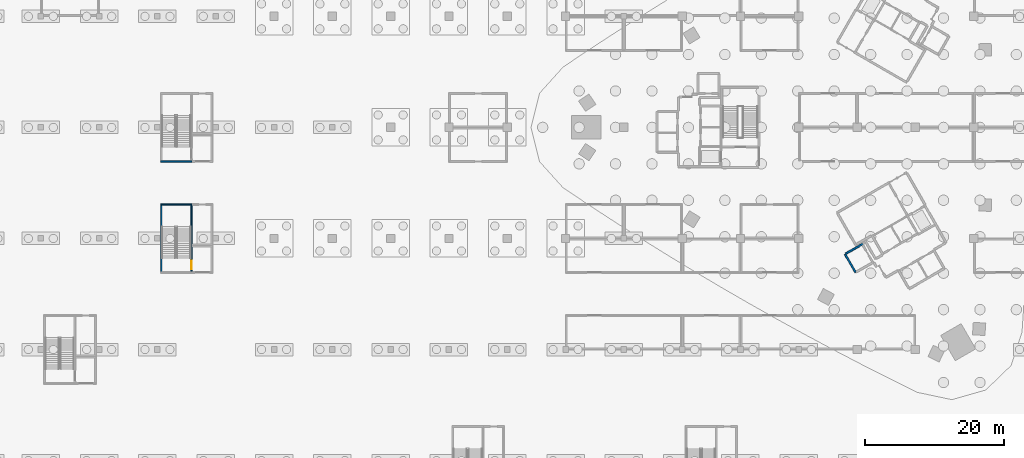
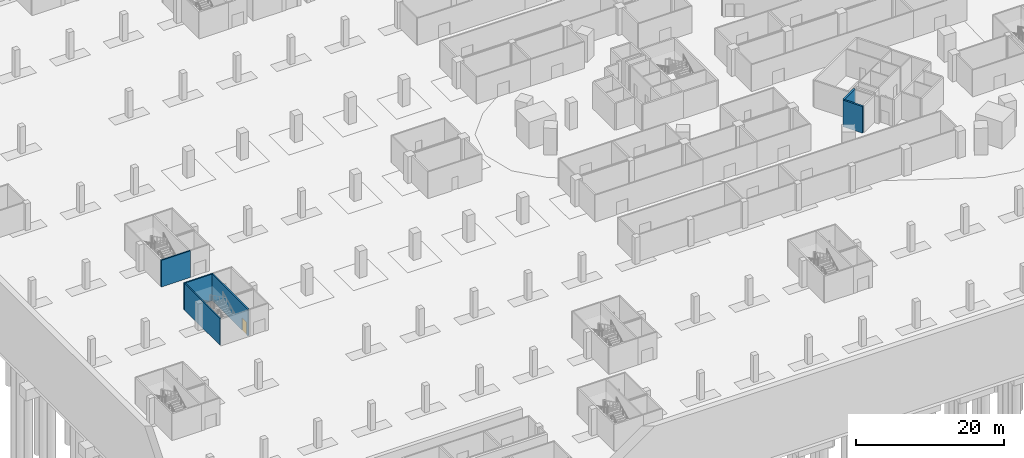
# One storey, part 10 of 46: 6 walls, 1 door, 1 opening.
"""IFC4 building model written with IfcOpenShell, lengths in metres."""

import ifcopenshell
import ifcopenshell.guid

model = None  # the IFC model being written
_history = None  # IfcOwnerHistory: only IFC2X3 demands one
_inside = {}  # id of a spatial element -> (the spatial element, [elements in it])
_under = {}  # id of a project, library or spatial element -> (it, [spatial elements below it])
_declared = {}  # id of a project -> (the project, [libraries it declares])
_typed = {}  # id of a type object -> (the type object, [elements of that type])
_made_of = {}  # id of a material, layer set ... -> (it, [elements and type objects made of it])


def new_model(schema):
    """Start an empty IFC model of exactly this schema.

    Asked for "IFC4X3", IfcOpenShell would pick the latest addendum, in which some entities
    have other attributes; the version numbers below select the first issue.
    IFC2X3 requires an IfcOwnerHistory on every rooted entity: one is made here for all.
    """
    global model, _history
    if schema == "IFC4X3":
        model = ifcopenshell.file(schema_version=(4, 3, 0, 0))
    else:
        model = ifcopenshell.file(schema=schema)
    _inside.clear()
    _under.clear()
    _declared.clear()
    _typed.clear()
    _made_of.clear()
    _history = None
    if model.schema == "IFC2X3":
        org = make("IfcOrganization", Name="unknown")
        user = make(
            "IfcPersonAndOrganization",
            ThePerson=make("IfcPerson", FamilyName="unknown"),
            TheOrganization=org,
        )
        app = make(
            "IfcApplication",
            ApplicationDeveloper=org,
            Version="unknown",
            ApplicationFullName="unknown",
            ApplicationIdentifier="unknown",
        )
        _history = make(
            "IfcOwnerHistory",
            OwningUser=user,
            OwningApplication=app,
            ChangeAction="ADDED",
            CreationDate=0,
        )
    return model


def make(cls, **values):
    """One entity of the class cls with the attributes given. An attribute that is None is left unset."""
    return model.create_entity(
        cls, **{name: value for name, value in values.items() if value is not None}
    )


def rooted(cls, **values):
    """An entity with a GlobalId (a new one), such as an element, a storey or a relation."""
    return make(cls, GlobalId=ifcopenshell.guid.new(), OwnerHistory=_history, **values)


def si_unit(unit_type, name, prefix=None):
    """IfcSIUnit, for example si_unit("LENGTHUNIT", "METRE", prefix="MILLI")."""
    return make("IfcSIUnit", UnitType=unit_type, Prefix=prefix, Name=name)


def assignment(units):
    """IfcUnitAssignment: the units of a project."""
    return None if units is None else make("IfcUnitAssignment", Units=units)


def point(xyz):
    """IfcCartesianPoint."""
    return None if xyz is None else make("IfcCartesianPoint", Coordinates=xyz)


def direction(xyz):
    """IfcDirection."""
    return None if xyz is None else make("IfcDirection", DirectionRatios=xyz)


def frame(location, z_axis=None, x_axis=None):
    """IfcAxis2Placement3D, a coordinate frame: its origin and axes. An axis left out is left unset."""
    return make(
        "IfcAxis2Placement3D",
        Location=point(location),
        Axis=direction(z_axis),
        RefDirection=direction(x_axis),
    )


def frame_2d(location, x_axis=None):
    """IfcAxis2Placement2D, a coordinate frame in the plane: its origin and x axis."""
    return make(
        "IfcAxis2Placement2D", Location=point(location), RefDirection=direction(x_axis)
    )


def origin():
    """The frame at (0, 0, 0) with its axes left unset."""
    return frame((0.0, 0.0, 0.0))


def place(relative_to, where):
    """IfcLocalPlacement: puts the frame where relative to a parent placement (None: the world)."""
    return make(
        "IfcLocalPlacement", PlacementRelTo=relative_to, RelativePlacement=where
    )


def context(
    kind, dimensions, precision=None, world=None, true_north=None, identifier=None
):
    """IfcGeometricRepresentationContext, for example the 3D "Model" context."""
    return make(
        "IfcGeometricRepresentationContext",
        ContextIdentifier=identifier,
        ContextType=kind,
        CoordinateSpaceDimension=dimensions,
        Precision=precision,
        WorldCoordinateSystem=world,
        TrueNorth=true_north,
    )


def subcontext(parent, identifier, kind, view, scale=None):
    """IfcGeometricRepresentationSubContext, for example "Body" below "Model"."""
    return make(
        "IfcGeometricRepresentationSubContext",
        ContextIdentifier=identifier,
        ContextType=kind,
        ParentContext=parent,
        TargetScale=scale,
        TargetView=view,
    )


def project(units=None, contexts=None):
    """IfcProject with its units and contexts."""
    return rooted(
        "IfcProject",
        Name="project",
        RepresentationContexts=contexts,
        UnitsInContext=assignment(units),
    )


def spatial(cls, under=None, at=None, **own):
    """A site, building, storey or space (cls), placed at a placement, below another one or the project."""
    s = rooted(cls, ObjectPlacement=at, **own)
    if under is not None:
        _under.setdefault(under.id(), (under, []))[1].append(s)
    return s


def profile(cls, at=None, kind="AREA", **sizes):
    """A parametric profile (cls). Its sizes go by their IFC names, for example OverallWidth=200.0."""
    return make(cls, ProfileType=kind, Position=at, **sizes)


def rectangle(**sizes):
    """IfcRectangleProfileDef."""
    return profile("IfcRectangleProfileDef", **sizes)


def extrude(swept, where, along, depth):
    """IfcExtrudedAreaSolid: the profile swept, set in the frame where, extruded along a direction by depth."""
    return make(
        "IfcExtrudedAreaSolid",
        SweptArea=swept,
        Position=where,
        ExtrudedDirection=direction(along),
        Depth=depth,
    )


def shape(context_of_items, identifier, shape_type, items):
    """IfcShapeRepresentation: the items that make up one representation, for example the "Body"."""
    return make(
        "IfcShapeRepresentation",
        ContextOfItems=context_of_items,
        RepresentationIdentifier=identifier,
        RepresentationType=shape_type,
        Items=items,
    )


def material(Name=None, Category=None):
    """IfcMaterial."""
    return make("IfcMaterial", Name=Name, Category=Category)


def layer(
    of_material, thickness, ventilated=None, Name=None, Category=None, Priority=None
):
    """IfcMaterialLayer: one layer of a wall or slab, of a material (None: an air gap)."""
    return make(
        "IfcMaterialLayer",
        Material=of_material,
        LayerThickness=thickness,
        IsVentilated=ventilated,
        Name=Name,
        Category=Category,
        Priority=Priority,
    )


def layer_set(layers, Name=None):
    """IfcMaterialLayerSet."""
    return make("IfcMaterialLayerSet", MaterialLayers=layers, LayerSetName=Name)


def made_of(thing, what):
    """Note that an element or type object is made of a material, layer set ...; save() writes the relation."""
    if what is not None:
        _made_of.setdefault(what.id(), (what, []))[1].append(thing)
    return thing


def type_object(cls, material=None, **own):
    """A type object (cls), such as IfcWallType, which elements share."""
    return made_of(rooted(cls, **own), material)


def element(
    cls,
    number,
    at=None,
    inside=None,
    cuts=None,
    type_object=None,
    material=None,
    context=None,
    identifier="Body",
    shape_type=None,
    held_by="IfcProductDefinitionShape",
    body=None,
    shapes=None,
    **own,
):
    """One element of the class cls, such as IfcWall. Its Tag is "e" and its number.

    at: its placement. inside: the storey or other place that contains it. cuts: it is an
    opening in that element (IfcRelVoidsElement). A single representation is given by context,
    identifier, shape_type and body (its items); several are given by shapes. held_by: the class
    of the entity that holds the representations. save() writes the other relations.
    """
    e = rooted(cls, Tag="e%d" % number, ObjectPlacement=at, **own)
    if body is not None:
        shapes = [shape(context, identifier, shape_type, body)]
    if shapes is not None:
        e.Representation = make(held_by, Representations=shapes)
    if inside is not None:
        _inside.setdefault(inside.id(), (inside, []))[1].append(e)
    if cuts is not None:
        rooted(
            "IfcRelVoidsElement", RelatingBuildingElement=cuts, RelatedOpeningElement=e
        )
    if type_object is not None:
        _typed.setdefault(type_object.id(), (type_object, []))[1].append(e)
    return made_of(e, material)


def fill(opening, filler):
    """IfcRelFillsElement: the door or window that sits in an opening."""
    return rooted(
        "IfcRelFillsElement",
        RelatingOpeningElement=opening,
        RelatedBuildingElement=filler,
    )


def aggregate(whole, parts):
    """IfcRelAggregates: a whole, such as a stair, and the parts it consists of."""
    return rooted("IfcRelAggregates", RelatingObject=whole, RelatedObjects=parts)


def save(model, path):
    """Write the relations noted so far, then the file.

    IfcRelAggregates (storeys below a building ...), IfcRelContainedInSpatialStructure (elements
    in a storey), IfcRelDefinesByType, IfcRelAssociatesMaterial and IfcRelDeclares: one each for
    every whole, place, type object, material and project.
    """
    for whole, parts in _under.values():
        aggregate(whole, parts)
    for where, things in _inside.values():
        rooted(
            "IfcRelContainedInSpatialStructure",
            RelatedElements=things,
            RelatingStructure=where,
        )
    for kind, things in _typed.values():
        rooted("IfcRelDefinesByType", RelatedObjects=things, RelatingType=kind)
    for what, things in _made_of.values():
        rooted("IfcRelAssociatesMaterial", RelatedObjects=things, RelatingMaterial=what)
    for by, libraries in _declared.values():
        rooted("IfcRelDeclares", RelatingContext=by, RelatedDefinitions=libraries)
    model.write(path)


model = new_model("IFC4")

# Units and contexts
model_context = context("Model", 3, precision=1e-05, world=origin(), true_north=direction((0.0, 1.0)))
body_context = subcontext(model_context, "Body", "Model", "MODEL_VIEW")
ifc_project = project(units=[si_unit("LENGTHUNIT", "METRE"), si_unit("AREAUNIT", "SQUARE_METRE"), si_unit("VOLUMEUNIT", "CUBIC_METRE"), si_unit("PLANEANGLEUNIT", "RADIAN"), si_unit("MASSUNIT", "GRAM", prefix="KILO")], contexts=[model_context])

# Site, building, storey
site_placement = place(None, origin())
site = spatial("IfcSite", under=ifc_project, at=site_placement, CompositionType="ELEMENT")
building_placement = place(site_placement, origin())
building = spatial("IfcBuilding", under=site, at=building_placement, Name="Tamra Quay Hotel Tower", CompositionType="ELEMENT")
storey_placement = place(building_placement, frame((0.0, 0.0, -12.0)))
storey = spatial("IfcBuildingStorey", under=building, at=storey_placement, Name="B3", CompositionType="ELEMENT", Elevation=-12.0)

# Walls
ifc_material_1 = material(Name="Concrete M70", Category="concrete")
ifc_layer_1 = layer(ifc_material_1, 0.25)
ifc_layer_set_1 = layer_set([ifc_layer_1], Name="Concrete M70 core wall 250")
wall_type_1 = type_object("IfcWallType", Name="Concrete M70 core wall 250", PredefinedType="SHEAR", material=ifc_layer_set_1)
wall_1_placement = place(storey_placement, frame((3.085205078125, -20.893798828125, 0.0), z_axis=(0.0, 0.0, 1.0), x_axis=(-0.499978833458, 0.866037623948, 0.0)))
element("IfcWall", 1, at=wall_1_placement, inside=storey, type_object=wall_type_1, Name="CW1", PredefinedType="SHEAR", context=body_context, shape_type="SweptSolid", body=[
    extrude(rectangle(XDim=3.050048828125, YDim=0.25, at=frame_2d((1.52490234375, 0.0))), origin(), (0.0, 0.0, 1.0), 4.39990234375),
])
wall_2_placement = place(storey_placement, frame((1.6689453125, -18.189697265625, 0.0), z_axis=(0.0, 0.0, 1.0), x_axis=(0.866042235819, 0.499970844928, 0.0)))
element("IfcWall", 2, at=wall_2_placement, inside=storey, type_object=wall_type_1, Name="CW1", PredefinedType="SHEAR", context=body_context, shape_type="SweptSolid", body=[
    extrude(rectangle(XDim=2.864501953125, YDim=0.25, at=frame_2d((1.43212890625, 0.0))), origin(), (0.0, 0.0, 1.0), 4.39990234375),
])
ifc_layer_2 = layer(ifc_material_1, 0.199951171875)
ifc_layer_set_2 = layer_set([ifc_layer_2], Name="Concrete M70 stair enclosure wall 200")
wall_type_2 = type_object("IfcWallType", Name="Concrete M70 stair enclosure wall 200", PredefinedType="SOLIDWALL", material=ifc_layer_set_2)
wall_3_placement = place(storey_placement, frame((-96.949951171875, -20.800048828125, 0.0), z_axis=(0.0, 0.0, 1.0), x_axis=(0.0, 1.0, 0.0)))
element("IfcWall", 3, at=wall_3_placement, inside=storey, type_object=wall_type_2, Name="SEW", PredefinedType="SOLIDWALL", context=body_context, shape_type="SweptSolid", body=[
    extrude(rectangle(XDim=9.60009765625, YDim=0.199951171875, at=frame_2d((4.800048828125, 0.0))), origin(), (0.0, 0.0, 1.0), 4.39990234375),
])

# Wall, opening, door
wall_4_placement = place(storey_placement, frame((-92.60009765625, -20.800048828125, 0.0), z_axis=(0.0, 0.0, 1.0), x_axis=(0.0, 1.0, 0.0)))
wall_4 = element("IfcWall", 4, at=wall_4_placement, inside=storey, type_object=wall_type_2, Name="SEW", PredefinedType="SOLIDWALL", context=body_context, shape_type="SweptSolid", body=[
    extrude(rectangle(XDim=9.60009765625, YDim=0.199951171875, at=frame_2d((4.800048828125, 0.0))), origin(), (0.0, 0.0, 1.0), 4.39990234375),
])
opening_placement = place(wall_4_placement, frame((0.39990234375, 0.0, 0.0)))
opening = element("IfcOpeningElement", 5, at=opening_placement, cuts=wall_4, Name="Opening SD1", PredefinedType="OPENING", context=body_context, shape_type="SweptSolid", body=[
    extrude(rectangle(XDim=1.199951171875, YDim=2.10009765625, at=frame_2d((0.60009765625, 1.050048828125))), frame((0.0, 0.10986328125, 0.0), z_axis=(0.0, -1.0, 0.0), x_axis=(1.0, 0.0, 0.0)), (0.0, 0.0, 1.0), 0.219970703125),
])
ifc_material_2 = material(Name="Stair door 1200 x 2100")
door_type = type_object("IfcDoorType", Name="Stair door 1200 x 2100", OperationType="NOTDEFINED", PredefinedType="DOOR", material=ifc_material_2)
door_placement = place(opening_placement, origin())
door = element("IfcDoor", 6, at=door_placement, inside=storey, type_object=door_type, Name="SD1", OperationType="SINGLE_SWING_LEFT", OverallHeight=2.10009765625, OverallWidth=1.199951171875, PredefinedType="DOOR", context=body_context, shape_type="SweptSolid", body=[
    extrude(rectangle(XDim=1.199951171875, YDim=2.10009765625, at=frame_2d((0.60009765625, 1.050048828125))), frame((0.0, 0.02490234375, 0.0), z_axis=(0.0, -1.0, 0.0), x_axis=(1.0, 0.0, 0.0)), (0.0, 0.0, 1.0), 0.050048828125),
])
fill(opening, door)

# Walls
for number, where, z_axis, x_axis, name in (
    (7, (-97.050048828125, -11.10009765625, 0.0), (0.0, 0.0, 1.0), (1.0, 0.0, 0.0), "SEW"),
    (8, (-92.5, -4.89990234375, 0.0), (0.0, 0.0, 1.0), (-1.0, 0.0, 0.0), "SEW"),
):
    element("IfcWall", number, at=place(storey_placement, frame(where, z_axis=z_axis, x_axis=x_axis)), inside=storey, type_object=wall_type_2, Name=name, PredefinedType="SOLIDWALL", context=body_context, shape_type="SweptSolid", body=[
        extrude(rectangle(XDim=4.550048828125, YDim=0.199951171875, at=frame_2d((2.27490234375, 0.0))), origin(), (0.0, 0.0, 1.0), 4.39990234375),
    ])

save(model, "model.ifc")
